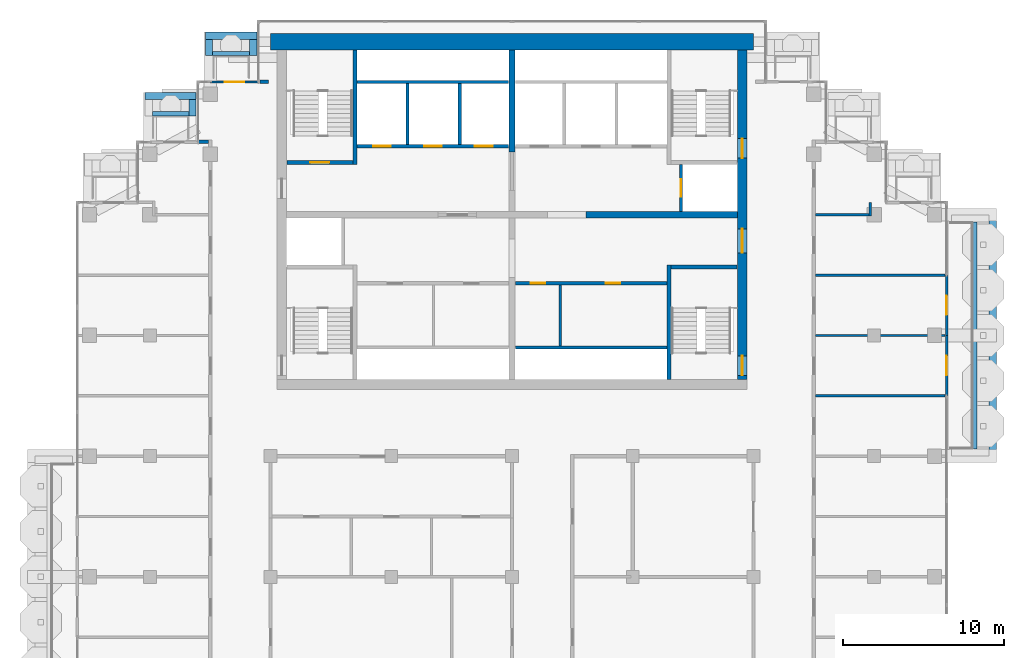
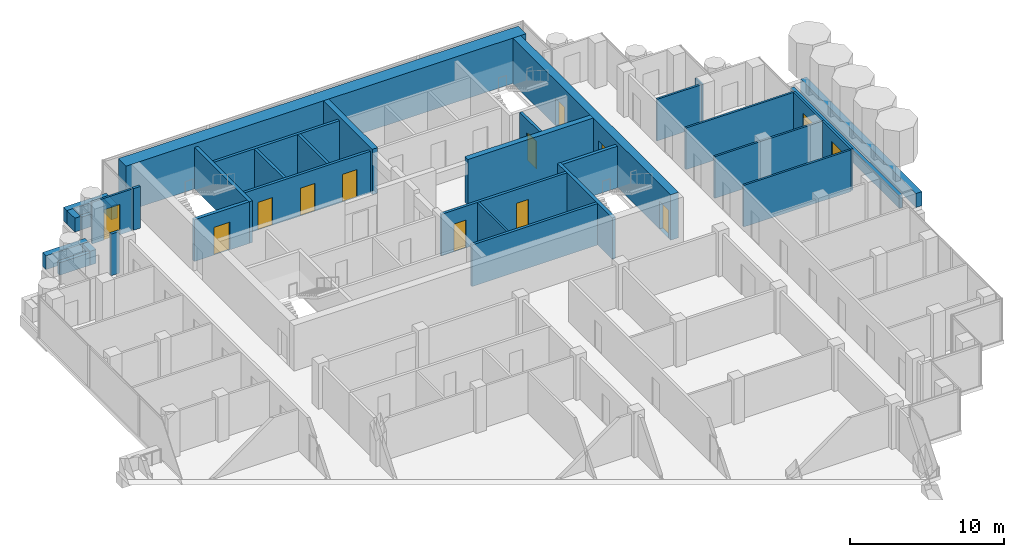
# One storey, part 14 of 19: 35 walls, 13 doors, 13 openings.
"""IFC4 building model written with IfcOpenShell, lengths in metres."""

from ifc_helpers import new_model, si_unit, direction, frame, frame_2d, origin, place, context, subcontext, project, spatial, rectangle, extrude, material, layer, layer_set, type_object, element, fill, save


model = new_model("IFC4")

# Units and contexts
model_context = context("Model", 3, precision=1e-05, world=origin(), true_north=direction((0.0, 1.0)))
body_context = subcontext(model_context, "Body", "Model", "MODEL_VIEW")
ifc_project = project(units=[si_unit("LENGTHUNIT", "METRE"), si_unit("AREAUNIT", "SQUARE_METRE"), si_unit("VOLUMEUNIT", "CUBIC_METRE"), si_unit("PLANEANGLEUNIT", "RADIAN"), si_unit("MASSUNIT", "GRAM", prefix="KILO")], contexts=[model_context])

# Site, building, storey
site_placement = place(None, origin())
site = spatial("IfcSite", under=ifc_project, at=site_placement, CompositionType="ELEMENT")
building_placement = place(site_placement, origin())
building = spatial("IfcBuilding", under=site, at=building_placement, Name="Pilkhan Gate Tower", CompositionType="ELEMENT")
storey_placement = place(building_placement, frame((0.0, 0.0, 246.300048828125)))
storey = spatial("IfcBuildingStorey", under=building, at=storey_placement, Name="L64", CompositionType="ELEMENT", Elevation=246.300048828125)

# Walls
ifc_material_1 = material(Name="Concrete C40/50", Category="concrete")
ifc_layer_1 = layer(ifc_material_1, 0.25)
ifc_layer_set_1 = layer_set([ifc_layer_1], Name="Balcony planter BP250")
wall_type_1 = type_object("IfcWallType", Name="Balcony planter BP250", PredefinedType="USERDEFINED", material=ifc_layer_set_1)
wall_1_placement = place(storey_placement, frame((103.77490234375, 67.949951171875, 0.0), z_axis=(0.0, 0.0, 1.0), x_axis=(0.0, 1.0, 0.0)))
element("IfcWall", 1, at=wall_1_placement, inside=storey, type_object=wall_type_1, Name="Balcony planter L64 E", ObjectType="BALCONY PLANTER", PredefinedType="USERDEFINED", context=body_context, shape_type="SweptSolid", body=[
    extrude(rectangle(XDim=14.10009765625, YDim=0.25, at=frame_2d((7.050048828125, 0.0))), origin(), (0.0, 0.0, 1.0), 1.0),
])
wall_2_placement = place(storey_placement, frame((56.39990234375, 92.52490234375, 0.0), z_axis=(0.0, 0.0, 1.0), x_axis=(1.0, 0.0, 0.0)))
element("IfcWall", 2, at=wall_2_placement, inside=storey, type_object=wall_type_1, Name="Balcony planter L64 N", ObjectType="BALCONY PLANTER", PredefinedType="USERDEFINED", context=body_context, shape_type="SweptSolid", body=[
    extrude(rectangle(XDim=2.300048828125, YDim=0.25, at=frame_2d((1.14990234375, 0.0))), origin(), (0.0, 0.0, 1.0), 1.0),
])
wall_3_placement = place(storey_placement, frame((52.64990234375, 88.77490234375, 0.0), z_axis=(0.0, 0.0, 1.0), x_axis=(1.0, 0.0, 0.0)))
element("IfcWall", 3, at=wall_3_placement, inside=storey, type_object=wall_type_1, Name="Balcony planter L64 N", ObjectType="BALCONY PLANTER", PredefinedType="USERDEFINED", context=body_context, shape_type="SweptSolid", body=[
    extrude(rectangle(XDim=2.280029296875, YDim=0.25, at=frame_2d((1.14013671875, 0.0))), origin(), (0.0, 0.0, 1.0), 1.0),
])
ifc_material_2 = material(Name="Board-marked Concrete C40/50", Category="concrete")
ifc_layer_2 = layer(ifc_material_2, 0.449951171875)
ifc_layer_set_2 = layer_set([ifc_layer_2], Name="Balcony planter lip BL450")
wall_type_2 = type_object("IfcWallType", Name="Balcony planter lip BL450", PredefinedType="USERDEFINED", material=ifc_layer_set_2)
wall_4_placement = place(storey_placement, frame((104.875, 67.5, 0.0), z_axis=(0.0, 0.0, 1.0), x_axis=(0.0, 1.0, 0.0)))
element("IfcWall", 4, at=wall_4_placement, inside=storey, type_object=wall_type_2, Name="Balcony planter L64 E", ObjectType="BALCONY PLANTER", PredefinedType="USERDEFINED", context=body_context, shape_type="SweptSolid", body=[
    extrude(rectangle(XDim=15.0, YDim=0.449951171875, at=frame_2d((7.5, 0.0))), origin(), (0.0, 0.0, 1.0), 1.099853515625),
])
wall_5_placement = place(storey_placement, frame((55.949951171875, 93.625, 0.0), z_axis=(0.0, 0.0, 1.0), x_axis=(1.0, 0.0, 0.0)))
element("IfcWall", 5, at=wall_5_placement, inside=storey, type_object=wall_type_2, Name="Balcony planter L64 N", ObjectType="BALCONY PLANTER", PredefinedType="USERDEFINED", context=body_context, shape_type="SweptSolid", body=[
    extrude(rectangle(XDim=3.199951171875, YDim=0.449951171875, at=frame_2d((1.60009765625, 0.0))), origin(), (0.0, 0.0, 1.0), 1.099853515625),
])
for number, where, z_axis, x_axis, name in (
    (6, (56.175048828125, 92.39990234375, 0.0), (0.0, 0.0, 1.0), (0.0, 1.0, 0.0), "Balcony planter L64 N"),
    (7, (58.925048828125, 92.39990234375, 0.0), (0.0, 0.0, 1.0), (0.0, 1.0, 0.0), "Balcony planter L64 N"),
):
    element("IfcWall", number, at=place(storey_placement, frame(where, z_axis=z_axis, x_axis=x_axis)), inside=storey, type_object=wall_type_2, Name=name, ObjectType="BALCONY PLANTER", PredefinedType="USERDEFINED", context=body_context, shape_type="SweptSolid", body=[
        extrude(rectangle(XDim=1.0, YDim=0.449951171875, at=frame_2d((0.5, 0.0))), origin(), (0.0, 0.0, 1.0), 1.099853515625),
    ])
wall_6_placement = place(storey_placement, frame((52.199951171875, 89.875, 0.0), z_axis=(0.0, 0.0, 1.0), x_axis=(1.0, 0.0, 0.0)))
element("IfcWall", 8, at=wall_6_placement, inside=storey, type_object=wall_type_2, Name="Balcony planter L64 N", ObjectType="BALCONY PLANTER", PredefinedType="USERDEFINED", context=body_context, shape_type="SweptSolid", body=[
    extrude(rectangle(XDim=3.179931640625, YDim=0.449951171875, at=frame_2d((1.58984375, 0.0))), origin(), (0.0, 0.0, 1.0), 1.099853515625),
])
wall_7_placement = place(storey_placement, frame((55.155029296875, 88.64990234375, 0.0), z_axis=(0.0, 0.0, 1.0), x_axis=(0.0, 1.0, 0.0)))
element("IfcWall", 9, at=wall_7_placement, inside=storey, type_object=wall_type_2, Name="Balcony planter L64 N", ObjectType="BALCONY PLANTER", PredefinedType="USERDEFINED", context=body_context, shape_type="SweptSolid", body=[
    extrude(rectangle(XDim=1.0, YDim=0.449951171875, at=frame_2d((0.5, 0.0))), origin(), (0.0, 0.0, 1.0), 1.099853515625),
])
ifc_material_3 = material(Name="Concrete C50/60", Category="concrete")
ifc_layer_3 = layer(ifc_material_3, 1.0)
ifc_layer_set_3 = layer_set([ifc_layer_3], Name="Core wall CW1000 C50/60")
wall_type_3 = type_object("IfcWallType", Name="Core wall CW1000 C50/60", PredefinedType="SHEAR", material=ifc_layer_set_3)
wall_8_placement = place(storey_placement, frame((90.0, 93.25, 0.0), z_axis=(0.0, 0.0, 1.0), x_axis=(-1.0, 0.0, 0.0)))
element("IfcWall", 10, at=wall_8_placement, inside=storey, type_object=wall_type_3, Name="Core wall N L64", PredefinedType="SHEAR", context=body_context, shape_type="SweptSolid", body=[
    extrude(rectangle(XDim=30.0, YDim=1.0, at=frame_2d((15.0, 0.0))), origin(), (0.0, 0.0, 1.0), 3.599853515625),
])

# Wall, openings, doors
ifc_layer_4 = layer(ifc_material_3, 0.60009765625)
ifc_layer_set_4 = layer_set([ifc_layer_4], Name="Core wall CW600 C50/60")
wall_type_4 = type_object("IfcWallType", Name="Core wall CW600 C50/60", PredefinedType="SHEAR", material=ifc_layer_set_4)
wall_9_placement = place(storey_placement, frame((89.300048828125, 72.25, 0.0), z_axis=(0.0, 0.0, 1.0), x_axis=(0.0, 1.0, 0.0)))
wall_9 = element("IfcWall", 11, at=wall_9_placement, inside=storey, type_object=wall_type_4, Name="Core wall E L64", PredefinedType="SHEAR", context=body_context, shape_type="SweptSolid", body=[
    extrude(rectangle(XDim=20.5, YDim=0.60009765625, at=frame_2d((10.25, 0.0))), origin(), (0.0, 0.0, 1.0), 3.599853515625),
])
opening_1_placement = place(wall_9_placement, frame((0.27490234375, 0.0, 0.0)))
opening_1 = element("IfcOpeningElement", 12, at=opening_1_placement, cuts=wall_9, Name="Opening L64-03", PredefinedType="OPENING", context=body_context, shape_type="SweptSolid", body=[
    extrude(rectangle(XDim=1.199951171875, YDim=2.199951171875, at=frame_2d((0.60009765625, 1.10009765625))), frame((0.0, 0.31005859375, 0.0), z_axis=(0.0, -1.0, 0.0), x_axis=(1.0, 0.0, 0.0)), (0.0, 0.0, 1.0), 0.6201171875),
])
opening_2_placement = place(wall_9_placement, frame((13.77490234375, 0.0, 0.0)))
opening_2 = element("IfcOpeningElement", 13, at=opening_2_placement, cuts=wall_9, Name="Opening L64-05", PredefinedType="OPENING", context=body_context, shape_type="SweptSolid", body=[
    extrude(rectangle(XDim=1.199951171875, YDim=2.199951171875, at=frame_2d((0.60009765625, 1.10009765625))), frame((0.0, 0.31005859375, 0.0), z_axis=(0.0, -1.0, 0.0), x_axis=(1.0, 0.0, 0.0)), (0.0, 0.0, 1.0), 0.6201171875),
])
opening_3_placement = place(wall_9_placement, frame((7.875, 0.0, 0.0)))
opening_3 = element("IfcOpeningElement", 14, at=opening_3_placement, cuts=wall_9, Name="Opening L64-06", PredefinedType="OPENING", context=body_context, shape_type="SweptSolid", body=[
    extrude(rectangle(XDim=1.5, YDim=2.199951171875, at=frame_2d((0.75, 1.10009765625))), frame((0.0, 0.31005859375, 0.0), z_axis=(0.0, -1.0, 0.0), x_axis=(1.0, 0.0, 0.0)), (0.0, 0.0, 1.0), 0.6201171875),
])
ifc_material_4 = material(Name="Steel framed glazed door, 60 minute fire resisting", Category="steel")
door_type_1 = type_object("IfcDoorType", Name="Lobby door D09 1500x2200", OperationType="DOUBLE_DOOR_SINGLE_SWING", PredefinedType="DOOR", material=ifc_material_4)
door_1_placement = place(opening_3_placement, origin())
door_1 = element("IfcDoor", 15, at=door_1_placement, inside=storey, type_object=door_type_1, Name="Core door", OperationType="DOUBLE_DOOR_SINGLE_SWING", OverallHeight=2.199951171875, OverallWidth=1.5, PredefinedType="DOOR", context=body_context, shape_type="SweptSolid", body=[
    extrude(rectangle(XDim=1.5, YDim=2.199951171875, at=frame_2d((0.75, 1.10009765625))), frame((0.0, 0.02490234375, 0.0), z_axis=(0.0, -1.0, 0.0), x_axis=(1.0, 0.0, 0.0)), (0.0, 0.0, 1.0), 0.050048828125),
])
fill(opening_3, door_1)
ifc_material_5 = material(Name="Steel door, 120 minute fire resisting, panic bar", Category="steel")
door_type_2 = type_object("IfcDoorType", Name="Stair door D11 1200x2200", OperationType="SINGLE_SWING_LEFT", PredefinedType="DOOR", material=ifc_material_5)
door_2_placement = place(opening_1_placement, origin())
door_2 = element("IfcDoor", 16, at=door_2_placement, inside=storey, type_object=door_type_2, Name="Stair ST1 door", OperationType="SINGLE_SWING_LEFT", OverallHeight=2.199951171875, OverallWidth=1.199951171875, PredefinedType="DOOR", context=body_context, shape_type="SweptSolid", body=[
    extrude(rectangle(XDim=1.199951171875, YDim=2.199951171875, at=frame_2d((0.60009765625, 1.10009765625))), frame((0.0, 0.02490234375, 0.0), z_axis=(0.0, -1.0, 0.0), x_axis=(1.0, 0.0, 0.0)), (0.0, 0.0, 1.0), 0.050048828125),
])
fill(opening_1, door_2)
door_3_placement = place(opening_2_placement, origin())
door_3 = element("IfcDoor", 17, at=door_3_placement, inside=storey, type_object=door_type_2, Name="Stair ST4 door", OperationType="SINGLE_SWING_RIGHT", OverallHeight=2.199951171875, OverallWidth=1.199951171875, PredefinedType="DOOR", context=body_context, shape_type="SweptSolid", body=[
    extrude(rectangle(XDim=1.199951171875, YDim=2.199951171875, at=frame_2d((0.60009765625, 1.10009765625))), frame((0.0, 0.02490234375, 0.0), z_axis=(0.0, -1.0, 0.0), x_axis=(1.0, 0.0, 0.0)), (0.0, 0.0, 1.0), 0.050048828125),
])
fill(opening_2, door_3)

# Walls
ifc_material_6 = material(Name="Dense blockwork", Category="masonry")
ifc_layer_5 = layer(ifc_material_6, 0.199951171875)
ifc_layer_set_5 = layer_set([ifc_layer_5], Name="Corridor wall FW200")
wall_type_5 = type_object("IfcWallType", Name="Corridor wall FW200", PredefinedType="PARTITIONING", material=ifc_layer_set_5)
wall_10_placement = place(storey_placement, frame((55.510009765625, 87.030029296875, 0.0), z_axis=(0.0, 0.0, 1.0), x_axis=(1.0, 0.0, 0.0)))
element("IfcWall", 18, at=wall_10_placement, inside=storey, type_object=wall_type_5, Name="Partition L64", PredefinedType="PARTITIONING", context=body_context, shape_type="SweptSolid", body=[
    extrude(rectangle(XDim=0.639892578125, YDim=0.199951171875, at=frame_2d((0.31982421875, 0.0))), origin(), (0.0, 0.0, 1.0), 3.300048828125),
])
wall_11_placement = place(storey_placement, frame((59.35498046875, 90.764892578125, 0.0), z_axis=(0.0, 0.0, 1.0), x_axis=(1.0, 0.0, 0.0)))
element("IfcWall", 19, at=wall_11_placement, inside=storey, type_object=wall_type_5, Name="Partition L64", PredefinedType="PARTITIONING", context=body_context, shape_type="SweptSolid", body=[
    extrude(rectangle(XDim=0.52490234375, YDim=0.199951171875, at=frame_2d((0.262451171875, 0.0))), origin(), (0.0, 0.0, 1.0), 3.300048828125),
])

# Wall, opening, door
ifc_material_7 = material(Name="Pale anodised aluminium, clear laminated glazing", Category="aluminium")
ifc_layer_6 = layer(ifc_material_7, 0.14990234375)
ifc_layer_set_6 = layer_set([ifc_layer_6], Name="Facade infill wall IW150")
wall_type_6 = type_object("IfcWallType", Name="Facade infill wall IW150", PredefinedType="SOLIDWALL", material=ifc_layer_set_6)
wall_12_placement = place(storey_placement, frame((102.0, 71.25, 0.0), z_axis=(0.0, 0.0, 1.0), x_axis=(0.0, 1.0, 0.0)))
wall_12 = element("IfcWall", 20, at=wall_12_placement, inside=storey, type_object=wall_type_6, Name="Infill wall L64 E", PredefinedType="SOLIDWALL", context=body_context, shape_type="SweptSolid", body=[
    extrude(rectangle(XDim=3.75, YDim=0.14990234375, at=frame_2d((1.875, 0.0))), origin(), (0.0, 0.0, 1.0), 3.300048828125),
])
opening_4_placement = place(wall_12_placement, frame((1.27490234375, 0.0, 0.0)))
opening_4 = element("IfcOpeningElement", 21, at=opening_4_placement, cuts=wall_12, Name="Opening D1", PredefinedType="OPENING", context=body_context, shape_type="SweptSolid", body=[
    extrude(rectangle(XDim=1.199951171875, YDim=2.39990234375, at=frame_2d((0.60009765625, 1.199951171875))), frame((0.0, 0.0849609375, 0.0), z_axis=(0.0, -1.0, 0.0), x_axis=(1.0, 0.0, 0.0)), (0.0, 0.0, 1.0), 0.169921875),
])
ifc_material_8 = material(Name="Pale anodised aluminium, clear glazing", Category="aluminium")
door_type_3 = type_object("IfcDoorType", Name="Balcony door D1 1200x2400", OperationType="SINGLE_SWING_LEFT", PredefinedType="DOOR", material=ifc_material_8)
door_4_placement = place(opening_4_placement, origin())
door_4 = element("IfcDoor", 22, at=door_4_placement, inside=storey, type_object=door_type_3, Name="Balcony door L64", OperationType="SINGLE_SWING_LEFT", OverallHeight=2.39990234375, OverallWidth=1.199951171875, PredefinedType="DOOR", context=body_context, shape_type="SweptSolid", body=[
    extrude(rectangle(XDim=1.199951171875, YDim=2.39990234375, at=frame_2d((0.60009765625, 1.199951171875))), frame((0.0, 0.02490234375, 0.0), z_axis=(0.0, -1.0, 0.0), x_axis=(1.0, 0.0, 0.0)), (0.0, 0.0, 1.0), 0.050048828125),
])
fill(opening_4, door_4)

wall_13_placement = place(storey_placement, frame((102.0, 75.0, 0.0), z_axis=(0.0, 0.0, 1.0), x_axis=(0.0, 1.0, 0.0)))
wall_13 = element("IfcWall", 23, at=wall_13_placement, inside=storey, type_object=wall_type_6, Name="Infill wall L64 E", PredefinedType="SOLIDWALL", context=body_context, shape_type="SweptSolid", body=[
    extrude(rectangle(XDim=3.75, YDim=0.14990234375, at=frame_2d((1.875, 0.0))), origin(), (0.0, 0.0, 1.0), 3.300048828125),
])
opening_5_placement = place(wall_13_placement, frame((1.27490234375, 0.0, 0.0)))
opening_5 = element("IfcOpeningElement", 24, at=opening_5_placement, cuts=wall_13, Name="Opening D1", PredefinedType="OPENING", context=body_context, shape_type="SweptSolid", body=[
    extrude(rectangle(XDim=1.199951171875, YDim=2.39990234375, at=frame_2d((0.60009765625, 1.199951171875))), frame((0.0, 0.0849609375, 0.0), z_axis=(0.0, -1.0, 0.0), x_axis=(1.0, 0.0, 0.0)), (0.0, 0.0, 1.0), 0.169921875),
])
door_5_placement = place(opening_5_placement, origin())
door_5 = element("IfcDoor", 25, at=door_5_placement, inside=storey, type_object=door_type_3, Name="Balcony door L64", OperationType="SINGLE_SWING_LEFT", OverallHeight=2.39990234375, OverallWidth=1.199951171875, PredefinedType="DOOR", context=body_context, shape_type="SweptSolid", body=[
    extrude(rectangle(XDim=1.199951171875, YDim=2.39990234375, at=frame_2d((0.60009765625, 1.199951171875))), frame((0.0, 0.02490234375, 0.0), z_axis=(0.0, -1.0, 0.0), x_axis=(1.0, 0.0, 0.0)), (0.0, 0.0, 1.0), 0.050048828125),
])
fill(opening_5, door_5)

wall_14_placement = place(storey_placement, frame((56.25, 90.75, 0.0), z_axis=(0.0, 0.0, 1.0), x_axis=(1.0, 0.0, 0.0)))
wall_14 = element("IfcWall", 26, at=wall_14_placement, inside=storey, type_object=wall_type_6, Name="Infill wall L64 N", PredefinedType="SOLIDWALL", context=body_context, shape_type="SweptSolid", body=[
    extrude(rectangle(XDim=3.0, YDim=0.14990234375, at=frame_2d((1.5, 0.0))), origin(), (0.0, 0.0, 1.0), 3.300048828125),
])
opening_6_placement = place(wall_14_placement, frame((0.89990234375, 0.0, 0.0)))
opening_6 = element("IfcOpeningElement", 27, at=opening_6_placement, cuts=wall_14, Name="Opening D1", PredefinedType="OPENING", context=body_context, shape_type="SweptSolid", body=[
    extrude(rectangle(XDim=1.199951171875, YDim=2.39990234375, at=frame_2d((0.60009765625, 1.199951171875))), frame((0.0, 0.0849609375, 0.0), z_axis=(0.0, -1.0, 0.0), x_axis=(1.0, 0.0, 0.0)), (0.0, 0.0, 1.0), 0.169921875),
])
door_6_placement = place(opening_6_placement, origin())
door_6 = element("IfcDoor", 28, at=door_6_placement, inside=storey, type_object=door_type_3, Name="Balcony door L64", OperationType="SINGLE_SWING_LEFT", OverallHeight=2.39990234375, OverallWidth=1.199951171875, PredefinedType="DOOR", context=body_context, shape_type="SweptSolid", body=[
    extrude(rectangle(XDim=1.199951171875, YDim=2.39990234375, at=frame_2d((0.60009765625, 1.199951171875))), frame((0.0, 0.02490234375, 0.0), z_axis=(0.0, -1.0, 0.0), x_axis=(1.0, 0.0, 0.0)), (0.0, 0.0, 1.0), 0.050048828125),
])
fill(opening_6, door_6)

# Wall
ifc_layer_7 = layer(ifc_material_6, 0.199951171875)
ifc_layer_set_7 = layer_set([ifc_layer_7], Name="Lobby wall LW200")
wall_type_7 = type_object("IfcWallType", Name="Lobby wall LW200", PredefinedType="PARTITIONING", material=ifc_layer_set_7)
wall_15_placement = place(storey_placement, frame((75.2099609375, 74.25, 0.0), z_axis=(0.0, 0.0, 1.0), x_axis=(1.0, 0.0, 0.0)))
element("IfcWall", 29, at=wall_15_placement, inside=storey, type_object=wall_type_7, Name="Partition L64", PredefinedType="PARTITIONING", context=body_context, shape_type="SweptSolid", body=[
    extrude(rectangle(XDim=9.4150390625, YDim=0.199951171875, at=frame_2d((4.70751953125, 0.0))), origin(), (0.0, 0.0, 1.0), 3.300048828125),
])

# Wall, openings, doors
wall_16_placement = place(storey_placement, frame((75.2099609375, 78.25, 0.0), z_axis=(0.0, 0.0, 1.0), x_axis=(1.0, 0.0, 0.0)))
wall_16 = element("IfcWall", 30, at=wall_16_placement, inside=storey, type_object=wall_type_7, Name="Partition L64", PredefinedType="PARTITIONING", context=body_context, shape_type="SweptSolid", body=[
    extrude(rectangle(XDim=9.4150390625, YDim=0.199951171875, at=frame_2d((4.70751953125, 0.0))), origin(), (0.0, 0.0, 1.0), 3.300048828125),
])
opening_7_placement = place(wall_16_placement, frame((0.949951171875, 0.0, 0.0)))
opening_7 = element("IfcOpeningElement", 31, at=opening_7_placement, cuts=wall_16, Name="Opening L64-10", PredefinedType="OPENING", context=body_context, shape_type="SweptSolid", body=[
    extrude(rectangle(XDim=0.89990234375, YDim=2.199951171875, at=frame_2d((0.449951171875, 1.10009765625))), frame((0.0, 0.10986328125, 0.0), z_axis=(0.0, -1.0, 0.0), x_axis=(1.0, 0.0, 0.0)), (0.0, 0.0, 1.0), 0.219970703125),
])
opening_8_placement = place(wall_16_placement, frame((5.6298828125, 0.0, 0.0)))
opening_8 = element("IfcOpeningElement", 32, at=opening_8_placement, cuts=wall_16, Name="Opening L64-11", PredefinedType="OPENING", context=body_context, shape_type="SweptSolid", body=[
    extrude(rectangle(XDim=0.89990234375, YDim=2.199951171875, at=frame_2d((0.449951171875, 1.10009765625))), frame((0.0, 0.10986328125, 0.0), z_axis=(0.0, -1.0, 0.0), x_axis=(1.0, 0.0, 0.0)), (0.0, 0.0, 1.0), 0.219970703125),
])
ifc_material_9 = material(Name="Timber flush door, 60 minute fire resisting, self-closing", Category="wood")
door_type_4 = type_object("IfcDoorType", Name="Store door D05 900x2200", OperationType="SINGLE_SWING_LEFT", PredefinedType="DOOR", material=ifc_material_9)
door_7_placement = place(opening_7_placement, origin())
door_7 = element("IfcDoor", 33, at=door_7_placement, inside=storey, type_object=door_type_4, Name="Store door", OperationType="SINGLE_SWING_LEFT", OverallHeight=2.199951171875, OverallWidth=0.89990234375, PredefinedType="DOOR", context=body_context, shape_type="SweptSolid", body=[
    extrude(rectangle(XDim=0.89990234375, YDim=2.199951171875, at=frame_2d((0.449951171875, 1.10009765625))), frame((0.0, 0.02490234375, 0.0), z_axis=(0.0, -1.0, 0.0), x_axis=(1.0, 0.0, 0.0)), (0.0, 0.0, 1.0), 0.050048828125),
])
fill(opening_7, door_7)
door_8_placement = place(opening_8_placement, origin())
door_8 = element("IfcDoor", 34, at=door_8_placement, inside=storey, type_object=door_type_4, Name="Store door", OperationType="SINGLE_SWING_LEFT", OverallHeight=2.199951171875, OverallWidth=0.89990234375, PredefinedType="DOOR", context=body_context, shape_type="SweptSolid", body=[
    extrude(rectangle(XDim=0.89990234375, YDim=2.199951171875, at=frame_2d((0.449951171875, 1.10009765625))), frame((0.0, 0.02490234375, 0.0), z_axis=(0.0, -1.0, 0.0), x_axis=(1.0, 0.0, 0.0)), (0.0, 0.0, 1.0), 0.050048828125),
])
fill(opening_8, door_8)

# Walls
ifc_material_10 = material(Name="Blockwork partition, plastered both sides", Category="masonry")
ifc_layer_8 = layer(ifc_material_10, 0.14990234375)
ifc_layer_set_8 = layer_set([ifc_layer_8], Name="Partition PW150")
wall_type_8 = type_object("IfcWallType", Name="Partition PW150", PredefinedType="PARTITIONING", material=ifc_layer_set_8)
for number, where, z_axis, x_axis, name in (
    (35, (93.85009765625, 71.25, 0.0), (0.0, 0.0, 1.0), (1.0, 0.0, 0.0), "Partition L64"),
    (36, (93.85009765625, 75.0, 0.0), (0.0, 0.0, 1.0), (1.0, 0.0, 0.0), "Partition L64"),
    (37, (93.85009765625, 78.75, 0.0), (0.0, 0.0, 1.0), (1.0, 0.0, 0.0), "Partition L64"),
):
    element("IfcWall", number, at=place(storey_placement, frame(where, z_axis=z_axis, x_axis=x_axis)), inside=storey, type_object=wall_type_8, Name=name, PredefinedType="PARTITIONING", context=body_context, shape_type="SweptSolid", body=[
        extrude(rectangle(XDim=8.06494140625, YDim=0.14990234375, at=frame_2d((4.032470703125, 0.0))), origin(), (0.0, 0.0, 1.0), 3.300048828125),
    ])
wall_17_placement = place(storey_placement, frame((93.85009765625, 82.5, 0.0), z_axis=(0.0, 0.0, 1.0), x_axis=(1.0, 0.0, 0.0)))
element("IfcWall", 38, at=wall_17_placement, inside=storey, type_object=wall_type_8, Name="Partition L64", PredefinedType="PARTITIONING", context=body_context, shape_type="SweptSolid", body=[
    extrude(rectangle(XDim=3.33984375, YDim=0.14990234375, at=frame_2d((1.669921875, 0.0))), origin(), (0.0, 0.0, 1.0), 3.300048828125),
])
wall_18_placement = place(storey_placement, frame((77.989990234375, 74.35009765625, 0.0), z_axis=(0.0, 0.0, 1.0), x_axis=(0.0, 1.0, 0.0)))
element("IfcWall", 39, at=wall_18_placement, inside=storey, type_object=wall_type_8, Name="Partition L64", PredefinedType="PARTITIONING", context=body_context, shape_type="SweptSolid", body=[
    extrude(rectangle(XDim=3.7998046875, YDim=0.14990234375, at=frame_2d((1.89990234375, 0.0))), origin(), (0.0, 0.0, 1.0), 3.300048828125),
])
wall_19_placement = place(storey_placement, frame((97.264892578125, 82.425048828125, 0.0), z_axis=(0.0, 0.0, 1.0), x_axis=(0.0, 1.0, 0.0)))
element("IfcWall", 40, at=wall_19_placement, inside=storey, type_object=wall_type_8, Name="Partition L64", PredefinedType="PARTITIONING", context=body_context, shape_type="SweptSolid", body=[
    extrude(rectangle(XDim=0.83984375, YDim=0.14990234375, at=frame_2d((0.419921875, 0.0))), origin(), (0.0, 0.0, 1.0), 3.300048828125),
])

# Wall, openings, doors
ifc_material_11 = material(Name="Reinforced blockwork shaft wall, 120 minute fire resisting", Category="masonry")
ifc_layer_9 = layer(ifc_material_11, 0.199951171875)
ifc_layer_set_9 = layer_set([ifc_layer_9], Name="Shaft wall SW200")
wall_type_9 = type_object("IfcWallType", Name="Shaft wall SW200", PredefinedType="PARTITIONING", material=ifc_layer_set_9)
wall_20_placement = place(storey_placement, frame((65.375, 86.75, 0.0), z_axis=(0.0, 0.0, 1.0), x_axis=(1.0, 0.0, 0.0)))
wall_20 = element("IfcWall", 41, at=wall_20_placement, inside=storey, type_object=wall_type_9, Name="Partition L64", PredefinedType="PARTITIONING", context=body_context, shape_type="SweptSolid", body=[
    extrude(rectangle(XDim=9.4150390625, YDim=0.199951171875, at=frame_2d((4.70751953125, 0.0))), origin(), (0.0, 0.0, 1.0), 3.300048828125),
])
opening_9_placement = place(wall_20_placement, frame((1.0, 0.0, 0.0)))
opening_9 = element("IfcOpeningElement", 42, at=opening_9_placement, cuts=wall_20, Name="Opening LD", PredefinedType="OPENING", context=body_context, shape_type="SweptSolid", body=[
    extrude(rectangle(XDim=1.10009765625, YDim=2.199951171875, at=frame_2d((0.550048828125, 1.10009765625))), frame((0.0, 0.10986328125, 0.0), z_axis=(0.0, -1.0, 0.0), x_axis=(1.0, 0.0, 0.0)), (0.0, 0.0, 1.0), 0.219970703125),
])
opening_10_placement = place(wall_20_placement, frame((4.175048828125, 0.0, 0.0)))
opening_10 = element("IfcOpeningElement", 43, at=opening_10_placement, cuts=wall_20, Name="Opening LD", PredefinedType="OPENING", context=body_context, shape_type="SweptSolid", body=[
    extrude(rectangle(XDim=1.10009765625, YDim=2.199951171875, at=frame_2d((0.550048828125, 1.10009765625))), frame((0.0, 0.10986328125, 0.0), z_axis=(0.0, -1.0, 0.0), x_axis=(1.0, 0.0, 0.0)), (0.0, 0.0, 1.0), 0.219970703125),
])
opening_11_placement = place(wall_20_placement, frame((7.324951171875, 0.0, 0.0)))
opening_11 = element("IfcOpeningElement", 44, at=opening_11_placement, cuts=wall_20, Name="Opening LD", PredefinedType="OPENING", context=body_context, shape_type="SweptSolid", body=[
    extrude(rectangle(XDim=1.10009765625, YDim=2.199951171875, at=frame_2d((0.550048828125, 1.10009765625))), frame((0.0, 0.10986328125, 0.0), z_axis=(0.0, -1.0, 0.0), x_axis=(1.0, 0.0, 0.0)), (0.0, 0.0, 1.0), 0.219970703125),
])
ifc_material_12 = material(Name="Stainless steel centre-opening landing door, 120 minute fire resisting", Category="steel")
door_type_5 = type_object("IfcDoorType", Name="Lift landing door LD 1100x2200", OperationType="DOUBLE_DOOR_SLIDING", PredefinedType="DOOR", material=ifc_material_12)
door_9_placement = place(opening_9_placement, origin())
door_9 = element("IfcDoor", 45, at=door_9_placement, inside=storey, type_object=door_type_5, Name="Landing door FF1", OperationType="DOUBLE_DOOR_SLIDING", OverallHeight=2.199951171875, OverallWidth=1.10009765625, PredefinedType="DOOR", context=body_context, shape_type="SweptSolid", body=[
    extrude(rectangle(XDim=1.10009765625, YDim=2.199951171875, at=frame_2d((0.550048828125, 1.10009765625))), frame((0.0, 0.02490234375, 0.0), z_axis=(0.0, -1.0, 0.0), x_axis=(1.0, 0.0, 0.0)), (0.0, 0.0, 1.0), 0.050048828125),
])
fill(opening_9, door_9)
door_10_placement = place(opening_10_placement, origin())
door_10 = element("IfcDoor", 46, at=door_10_placement, inside=storey, type_object=door_type_5, Name="Landing door FF2", OperationType="DOUBLE_DOOR_SLIDING", OverallHeight=2.199951171875, OverallWidth=1.10009765625, PredefinedType="DOOR", context=body_context, shape_type="SweptSolid", body=[
    extrude(rectangle(XDim=1.10009765625, YDim=2.199951171875, at=frame_2d((0.550048828125, 1.10009765625))), frame((0.0, 0.02490234375, 0.0), z_axis=(0.0, -1.0, 0.0), x_axis=(1.0, 0.0, 0.0)), (0.0, 0.0, 1.0), 0.050048828125),
])
fill(opening_10, door_10)
door_11_placement = place(opening_11_placement, origin())
door_11 = element("IfcDoor", 47, at=door_11_placement, inside=storey, type_object=door_type_5, Name="Landing door SV1", OperationType="DOUBLE_DOOR_SLIDING", OverallHeight=2.199951171875, OverallWidth=1.10009765625, PredefinedType="DOOR", context=body_context, shape_type="SweptSolid", body=[
    extrude(rectangle(XDim=1.10009765625, YDim=2.199951171875, at=frame_2d((0.550048828125, 1.10009765625))), frame((0.0, 0.02490234375, 0.0), z_axis=(0.0, -1.0, 0.0), x_axis=(1.0, 0.0, 0.0)), (0.0, 0.0, 1.0), 0.050048828125),
])
fill(opening_11, door_11)

# Walls
wall_21_placement = place(storey_placement, frame((65.375, 90.75, 0.0), z_axis=(0.0, 0.0, 1.0), x_axis=(1.0, 0.0, 0.0)))
element("IfcWall", 48, at=wall_21_placement, inside=storey, type_object=wall_type_9, Name="Partition L64", PredefinedType="PARTITIONING", context=body_context, shape_type="SweptSolid", body=[
    extrude(rectangle(XDim=9.4150390625, YDim=0.199951171875, at=frame_2d((4.70751953125, 0.0))), origin(), (0.0, 0.0, 1.0), 3.300048828125),
])
for number, where, z_axis, x_axis, name in (
    (49, (68.5, 86.85009765625, 0.0), (0.0, 0.0, 1.0), (0.0, 1.0, 0.0), "Partition L64"),
    (50, (71.75, 86.85009765625, 0.0), (0.0, 0.0, 1.0), (0.0, 1.0, 0.0), "Partition L64"),
):
    element("IfcWall", number, at=place(storey_placement, frame(where, z_axis=z_axis, x_axis=x_axis)), inside=storey, type_object=wall_type_9, Name=name, PredefinedType="PARTITIONING", context=body_context, shape_type="SweptSolid", body=[
        extrude(rectangle(XDim=3.7998046875, YDim=0.199951171875, at=frame_2d((1.89990234375, 0.0))), origin(), (0.0, 0.0, 1.0), 3.300048828125),
    ])

# Wall, opening, door
wall_22_placement = place(storey_placement, frame((85.5, 82.7099609375, 0.0), z_axis=(0.0, 0.0, 1.0), x_axis=(0.0, 1.0, 0.0)))
wall_22 = element("IfcWall", 51, at=wall_22_placement, inside=storey, type_object=wall_type_9, Name="Partition L64", PredefinedType="PARTITIONING", context=body_context, shape_type="SweptSolid", body=[
    extrude(rectangle(XDim=2.9150390625, YDim=0.199951171875, at=frame_2d((1.45751953125, 0.0))), origin(), (0.0, 0.0, 1.0), 3.300048828125),
])
opening_12_placement = place(wall_22_placement, frame((0.89990234375, 0.0, 0.0)))
opening_12 = element("IfcOpeningElement", 52, at=opening_12_placement, cuts=wall_22, Name="Opening LD", PredefinedType="OPENING", context=body_context, shape_type="SweptSolid", body=[
    extrude(rectangle(XDim=1.10009765625, YDim=2.199951171875, at=frame_2d((0.550048828125, 1.10009765625))), frame((0.0, 0.10986328125, 0.0), z_axis=(0.0, -1.0, 0.0), x_axis=(1.0, 0.0, 0.0)), (0.0, 0.0, 1.0), 0.219970703125),
])
door_12_placement = place(opening_12_placement, origin())
door_12 = element("IfcDoor", 53, at=door_12_placement, inside=storey, type_object=door_type_5, Name="Landing door HR4", OperationType="DOUBLE_DOOR_SLIDING", OverallHeight=2.199951171875, OverallWidth=1.10009765625, PredefinedType="DOOR", context=body_context, shape_type="SweptSolid", body=[
    extrude(rectangle(XDim=1.10009765625, YDim=2.199951171875, at=frame_2d((0.550048828125, 1.10009765625))), frame((0.0, 0.02490234375, 0.0), z_axis=(0.0, -1.0, 0.0), x_axis=(1.0, 0.0, 0.0)), (0.0, 0.0, 1.0), 0.050048828125),
])
fill(opening_12, door_12)

# Walls
ifc_layer_10 = layer(ifc_material_3, 0.39990234375)
ifc_layer_set_10 = layer_set([ifc_layer_10], Name="Spine wall SW400 C50/60")
wall_type_10 = type_object("IfcWallType", Name="Spine wall SW400 C50/60", PredefinedType="SHEAR", material=ifc_layer_set_10)
wall_23_placement = place(storey_placement, frame((79.60009765625, 82.5, 0.0), z_axis=(0.0, 0.0, 1.0), x_axis=(1.0, 0.0, 0.0)))
element("IfcWall", 54, at=wall_23_placement, inside=storey, type_object=wall_type_10, Name="Spine wall SP-EW3 L64", PredefinedType="SHEAR", context=body_context, shape_type="SweptSolid", body=[
    extrude(rectangle(XDim=9.39990234375, YDim=0.39990234375, at=frame_2d((4.699951171875, 0.0))), origin(), (0.0, 0.0, 1.0), 3.599853515625),
])
wall_24_placement = place(storey_placement, frame((75.0, 86.39990234375, 0.0), z_axis=(0.0, 0.0, 1.0), x_axis=(0.0, 1.0, 0.0)))
element("IfcWall", 55, at=wall_24_placement, inside=storey, type_object=wall_type_10, Name="Spine wall SP-NS-N2 L64", PredefinedType="SHEAR", context=body_context, shape_type="SweptSolid", body=[
    extrude(rectangle(XDim=6.35009765625, YDim=0.39990234375, at=frame_2d((3.175048828125, 0.0))), origin(), (0.0, 0.0, 1.0), 3.599853515625),
])
ifc_material_13 = material(Name="Reinforced blockwork, 120 minute fire resisting", Category="masonry")
ifc_layer_11 = layer(ifc_material_13, 0.25)
ifc_layer_set_11 = layer_set([ifc_layer_11], Name="Stair enclosure wall SE250")
wall_type_11 = type_object("IfcWallType", Name="Stair enclosure wall SE250", PredefinedType="PARTITIONING", material=ifc_layer_set_11)
wall_25_placement = place(storey_placement, frame((84.875, 79.25, 0.0), z_axis=(0.0, 0.0, 1.0), x_axis=(1.0, 0.0, 0.0)))
element("IfcWall", 56, at=wall_25_placement, inside=storey, type_object=wall_type_11, Name="Partition L64", PredefinedType="PARTITIONING", context=body_context, shape_type="SweptSolid", body=[
    extrude(rectangle(XDim=4.114990234375, YDim=0.25, at=frame_2d((2.0576171875, 0.0))), origin(), (0.0, 0.0, 1.0), 3.300048828125),
])

# Wall, opening, door
wall_26_placement = place(storey_placement, frame((61.010009765625, 85.75, 0.0), z_axis=(0.0, 0.0, 1.0), x_axis=(1.0, 0.0, 0.0)))
wall_26 = element("IfcWall", 57, at=wall_26_placement, inside=storey, type_object=wall_type_11, Name="Partition L64", PredefinedType="PARTITIONING", context=body_context, shape_type="SweptSolid", body=[
    extrude(rectangle(XDim=4.114990234375, YDim=0.25, at=frame_2d((2.0576171875, 0.0))), origin(), (0.0, 0.0, 1.0), 3.300048828125),
])
opening_13_placement = place(wall_26_placement, frame((1.449951171875, 0.0, 0.0)))
opening_13 = element("IfcOpeningElement", 58, at=opening_13_placement, cuts=wall_26, Name="Opening L64-02", PredefinedType="OPENING", context=body_context, shape_type="SweptSolid", body=[
    extrude(rectangle(XDim=1.199951171875, YDim=2.199951171875, at=frame_2d((0.60009765625, 1.10009765625))), frame((0.0, 0.135009765625, 0.0), z_axis=(0.0, -1.0, 0.0), x_axis=(1.0, 0.0, 0.0)), (0.0, 0.0, 1.0), 0.27001953125),
])
door_13_placement = place(opening_13_placement, origin())
door_13 = element("IfcDoor", 59, at=door_13_placement, inside=storey, type_object=door_type_2, Name="Stair ST3 lobby door", OperationType="SINGLE_SWING_LEFT", OverallHeight=2.199951171875, OverallWidth=1.199951171875, PredefinedType="DOOR", context=body_context, shape_type="SweptSolid", body=[
    extrude(rectangle(XDim=1.199951171875, YDim=2.199951171875, at=frame_2d((0.60009765625, 1.10009765625))), frame((0.0, 0.02490234375, 0.0), z_axis=(0.0, -1.0, 0.0), x_axis=(1.0, 0.0, 0.0)), (0.0, 0.0, 1.0), 0.050048828125),
])
fill(opening_13, door_13)

# Walls
for number, where, z_axis, x_axis, name in (
    (60, (65.25, 85.625, 0.0), (0.0, 0.0, 1.0), (0.0, 1.0, 0.0), "Partition L64"),
    (61, (84.75, 72.260009765625, 0.0), (0.0, 0.0, 1.0), (0.0, 1.0, 0.0), "Partition L64"),
):
    element("IfcWall", number, at=place(storey_placement, frame(where, z_axis=z_axis, x_axis=x_axis)), inside=storey, type_object=wall_type_11, Name=name, PredefinedType="PARTITIONING", context=body_context, shape_type="SweptSolid", body=[
        extrude(rectangle(XDim=7.114990234375, YDim=0.25, at=frame_2d((3.5576171875, 0.0))), origin(), (0.0, 0.0, 1.0), 3.300048828125),
    ])

save(model, "model.ifc")
